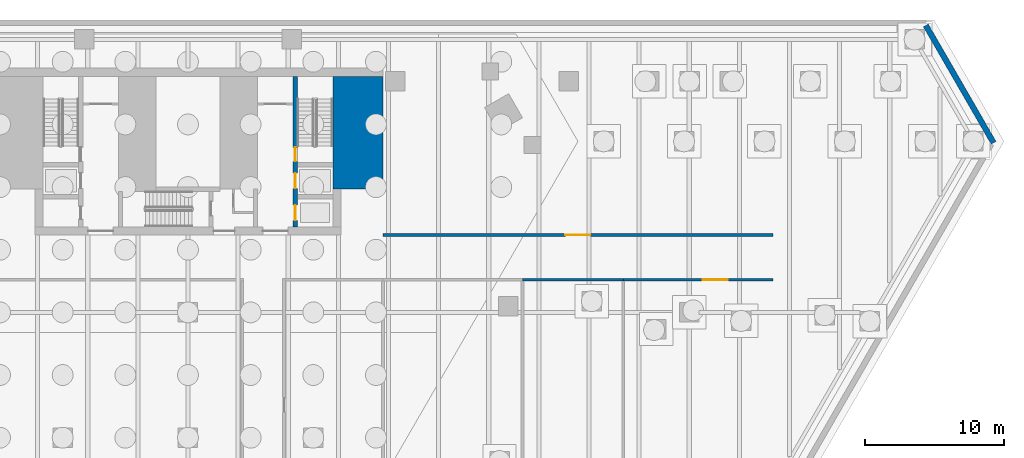
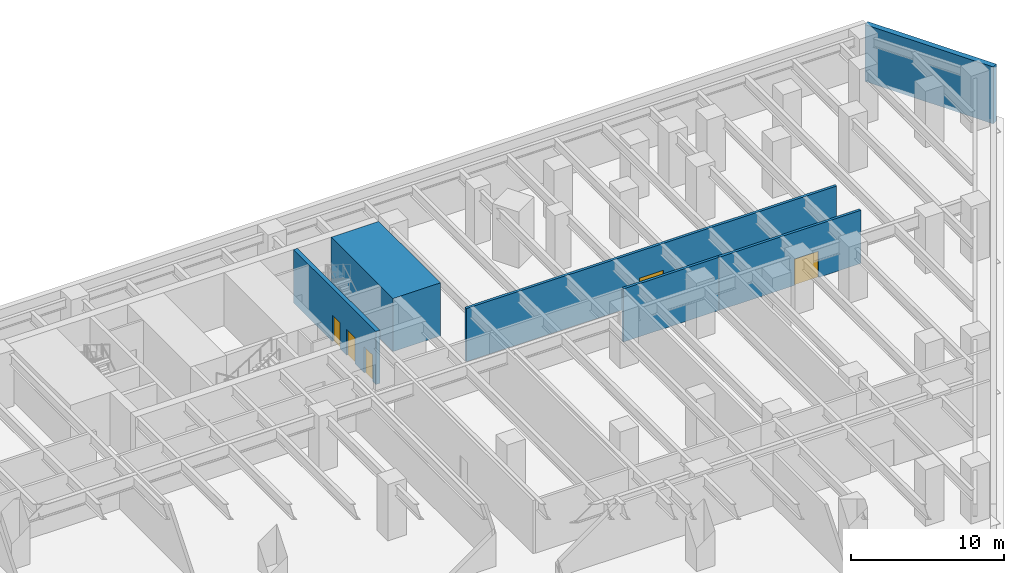
# One storey, part 14 of 18: 6 walls, 5 doors, 5 openings.
"""IFC4 building model written with IfcOpenShell, lengths in metres."""

from ifc_helpers import new_model, si_unit, direction, frame, frame_2d, origin, place, context, subcontext, project, spatial, rectangle, extrude, material, layer, layer_set, type_object, element, fill, save


model = new_model("IFC4")

# Units and contexts
model_context = context("Model", 3, precision=1e-05, world=origin(), true_north=direction((0.0, 1.0)))
body_context = subcontext(model_context, "Body", "Model", "MODEL_VIEW")
ifc_project = project(units=[si_unit("LENGTHUNIT", "METRE"), si_unit("AREAUNIT", "SQUARE_METRE"), si_unit("VOLUMEUNIT", "CUBIC_METRE"), si_unit("PLANEANGLEUNIT", "RADIAN"), si_unit("MASSUNIT", "GRAM", prefix="KILO")], contexts=[model_context])

# Site, building, storey
site_placement = place(None, origin())
site = spatial("IfcSite", under=ifc_project, at=site_placement, CompositionType="ELEMENT")
building_placement = place(site_placement, origin())
building = spatial("IfcBuilding", under=site, at=building_placement, Name="Aloe Facet Convention Tower", CompositionType="ELEMENT")
storey_placement = place(building_placement, frame((0.0, 0.0, -9.0)))
storey = spatial("IfcBuildingStorey", under=building, at=storey_placement, Name="B2", CompositionType="ELEMENT", Elevation=-9.0)

# Wall, openings, doors
ifc_material_1 = material(Name="Concrete C80/95", Category="concrete")
ifc_layer_1 = layer(ifc_material_1, 0.300048828125)
ifc_layer_set_1 = layer_set([ifc_layer_1], Name="CR-W-RC300-C8095")
wall_type_1 = type_object("IfcWallType", Name="CR-W-RC300-C8095", PredefinedType="SOLIDWALL", material=ifc_layer_set_1)
wall_1_placement = place(storey_placement, frame((87.699951171875, 133.949951171875, 0.0), z_axis=(0.0, 0.0, 1.0), x_axis=(0.0, -1.0, 0.0)))
wall_1 = element("IfcWall", 1, at=wall_1_placement, inside=storey, type_object=wall_type_1, Name="Core wall B2-018", PredefinedType="SOLIDWALL", context=body_context, shape_type="SweptSolid", body=[
    extrude(rectangle(XDim=10.800048828125, YDim=0.300048828125, at=frame_2d((5.39990234375, 0.0))), origin(), (0.0, 0.0, 1.0), 4.25),
])
opening_1_placement = place(wall_1_placement, frame((6.949951171875, 0.0, 0.0)))
opening_1 = element("IfcOpeningElement", 2, at=opening_1_placement, cuts=wall_1, Name="Opening LD-FF2-B2", PredefinedType="OPENING", context=body_context, shape_type="SweptSolid", body=[
    extrude(rectangle(XDim=1.10009765625, YDim=2.10009765625, at=frame_2d((0.550048828125, 1.050048828125))), frame((0.0, 0.16015625, 0.0), z_axis=(0.0, -1.0, 0.0), x_axis=(1.0, 0.0, 0.0)), (0.0, 0.0, 1.0), 0.320068359375),
])
opening_2_placement = place(wall_1_placement, frame((5.10009765625, 0.0, 0.0)))
opening_2 = element("IfcOpeningElement", 3, at=opening_2_placement, cuts=wall_1, Name="Opening B2-CD11", PredefinedType="OPENING", context=body_context, shape_type="SweptSolid", body=[
    extrude(rectangle(XDim=1.0, YDim=2.10009765625, at=frame_2d((0.5, 1.050048828125))), frame((0.0, 0.16015625, 0.0), z_axis=(0.0, -1.0, 0.0), x_axis=(1.0, 0.0, 0.0)), (0.0, 0.0, 1.0), 0.320068359375),
])
opening_3_placement = place(wall_1_placement, frame((9.25, 0.0, 0.0)))
opening_3 = element("IfcOpeningElement", 4, at=opening_3_placement, cuts=wall_1, Name="Opening LD-SV1-B2", PredefinedType="OPENING", context=body_context, shape_type="SweptSolid", body=[
    extrude(rectangle(XDim=1.10009765625, YDim=2.10009765625, at=frame_2d((0.550048828125, 1.050048828125))), frame((0.0, 0.16015625, 0.0), z_axis=(0.0, -1.0, 0.0), x_axis=(1.0, 0.0, 0.0)), (0.0, 0.0, 1.0), 0.320068359375),
])
ifc_material_2 = material(Name="Steel fire-resisting door set FD120", Category="steel")
door_type_1 = type_object("IfcDoorType", Name="CR-D-STAIR-1000-FD120-SLEFT", OperationType="SINGLE_SWING_LEFT", PredefinedType="DOOR", material=ifc_material_2)
door_1_placement = place(opening_2_placement, origin())
door_1 = element("IfcDoor", 5, at=door_1_placement, inside=storey, type_object=door_type_1, Name="Core door B2-CD11", OperationType="SINGLE_SWING_LEFT", OverallHeight=2.10009765625, OverallWidth=1.0, PredefinedType="DOOR", context=body_context, shape_type="SweptSolid", body=[
    extrude(rectangle(XDim=1.0, YDim=2.10009765625, at=frame_2d((0.5, 1.050048828125))), frame((0.0, 0.02490234375, 0.0), z_axis=(0.0, -1.0, 0.0), x_axis=(1.0, 0.0, 0.0)), (0.0, 0.0, 1.0), 0.050048828125),
])
fill(opening_2, door_1)
ifc_material_3 = material(Name="Stainless steel sliding landing door", Category="steel")
door_type_2 = type_object("IfcDoorType", Name="CR-LD-1100-FD120-_LEFT", OperationType="SLIDING_TO_LEFT", PredefinedType="DOOR", material=ifc_material_3)
door_2_placement = place(opening_1_placement, origin())
door_2 = element("IfcDoor", 6, at=door_2_placement, inside=storey, type_object=door_type_2, Name="Landing door FF2 B2", OperationType="SLIDING_TO_LEFT", OverallHeight=2.10009765625, OverallWidth=1.10009765625, PredefinedType="DOOR", context=body_context, shape_type="SweptSolid", body=[
    extrude(rectangle(XDim=1.10009765625, YDim=2.10009765625, at=frame_2d((0.550048828125, 1.050048828125))), frame((0.0, 0.02490234375, 0.0), z_axis=(0.0, -1.0, 0.0), x_axis=(1.0, 0.0, 0.0)), (0.0, 0.0, 1.0), 0.050048828125),
])
fill(opening_1, door_2)
door_3_placement = place(opening_3_placement, origin())
door_3 = element("IfcDoor", 7, at=door_3_placement, inside=storey, type_object=door_type_2, Name="Landing door SV1 B2", OperationType="SLIDING_TO_LEFT", OverallHeight=2.10009765625, OverallWidth=1.10009765625, PredefinedType="DOOR", context=body_context, shape_type="SweptSolid", body=[
    extrude(rectangle(XDim=1.10009765625, YDim=2.10009765625, at=frame_2d((0.550048828125, 1.050048828125))), frame((0.0, 0.02490234375, 0.0), z_axis=(0.0, -1.0, 0.0), x_axis=(1.0, 0.0, 0.0)), (0.0, 0.0, 1.0), 0.050048828125),
])
fill(opening_3, door_3)

# Walls
ifc_material_4 = material(Name="Concrete C80/95", Category="concrete")
ifc_layer_2 = layer(ifc_material_4, 3.60009765625)
ifc_layer_set_2 = layer_set([ifc_layer_2], Name="CR-W-RC3600-C8095")
wall_type_2 = type_object("IfcWallType", Name="CR-W-RC3600-C8095", PredefinedType="SOLIDWALL", material=ifc_layer_set_2)
wall_2_placement = place(storey_placement, frame((92.199951171875, 133.949951171875, 0.0), z_axis=(0.0, 0.0, 1.0), x_axis=(0.0, -1.0, 0.0)))
element("IfcWall", 8, at=wall_2_placement, inside=storey, type_object=wall_type_2, Name="Core wall B2-021", PredefinedType="SOLIDWALL", context=body_context, shape_type="SweptSolid", body=[
    extrude(rectangle(XDim=8.099853515625, YDim=3.60009765625, at=frame_2d((4.0498046875, 0.0))), origin(), (0.0, 0.0, 1.0), 4.25),
])
ifc_material_5 = material(Name="Masonry blockwork wall, plastered", Category="masonry")
ifc_layer_3 = layer(ifc_material_5, 0.199951171875)
ifc_layer_set_3 = layer_set([ifc_layer_3], Name="IN-POD-W-PLANT")
wall_type_3 = type_object("IfcWallType", Name="IN-POD-W-PLANT", PredefinedType="PARTITIONING", material=ifc_layer_set_3)
wall_3_placement = place(storey_placement, frame((104.033203125, 119.35009765625, 0.0), z_axis=(0.0, 0.0, 1.0), x_axis=(1.0, 0.0, 0.0)))
element("IfcWall", 9, at=wall_3_placement, inside=storey, type_object=wall_type_3, Name="Partition B2-W054", PredefinedType="PARTITIONING", context=body_context, shape_type="SweptSolid", body=[
    extrude(rectangle(XDim=7.2333984375, YDim=0.199951171875, at=frame_2d((3.61669921875, 0.0))), origin(), (0.0, 0.0, 1.0), 4.25),
])

# Wall, opening, door
wall_4_placement = place(storey_placement, frame((111.2666015625, 119.35009765625, 0.0), z_axis=(0.0, 0.0, 1.0), x_axis=(1.0, 0.0, 0.0)))
wall_4 = element("IfcWall", 10, at=wall_4_placement, inside=storey, type_object=wall_type_3, Name="Partition B2-W055", PredefinedType="PARTITIONING", context=body_context, shape_type="SweptSolid", body=[
    extrude(rectangle(XDim=10.7333984375, YDim=0.199951171875, at=frame_2d((5.36669921875, 0.0))), origin(), (0.0, 0.0, 1.0), 4.25),
])
opening_4_placement = place(wall_4_placement, frame((5.716552734375, 0.0, 0.0)))
opening_4 = element("IfcOpeningElement", 11, at=opening_4_placement, cuts=wall_4, Name="Opening B2-010", PredefinedType="OPENING", context=body_context, shape_type="SweptSolid", body=[
    extrude(rectangle(XDim=1.800048828125, YDim=2.10009765625, at=frame_2d((0.89990234375, 1.050048828125))), frame((0.0, 0.10986328125, 0.0), z_axis=(0.0, -1.0, 0.0), x_axis=(1.0, 0.0, 0.0)), (0.0, 0.0, 1.0), 0.219970703125),
])
ifc_material_6 = material(Name="Steel flush door pair, galvanised", Category="steel")
door_type_3 = type_object("IfcDoorType", Name="IN-POD-D-PLANTPAIR", OperationType="DOUBLE_DOOR_SINGLE_SWING", PredefinedType="DOOR", material=ifc_material_6)
door_4_placement = place(opening_4_placement, origin())
door_4 = element("IfcDoor", 12, at=door_4_placement, inside=storey, type_object=door_type_3, Name="Door B2-010", OperationType="SINGLE_SWING_LEFT", OverallHeight=2.10009765625, OverallWidth=1.800048828125, PredefinedType="DOOR", context=body_context, shape_type="SweptSolid", body=[
    extrude(rectangle(XDim=1.800048828125, YDim=2.10009765625, at=frame_2d((0.89990234375, 1.050048828125))), frame((0.0, 0.02490234375, 0.0), z_axis=(0.0, -1.0, 0.0), x_axis=(1.0, 0.0, 0.0)), (0.0, 0.0, 1.0), 0.050048828125),
])
fill(opening_4, door_4)

wall_5_placement = place(storey_placement, frame((94.0, 122.550048828125, 0.0), z_axis=(0.0, 0.0, 1.0), x_axis=(1.0, 0.0, 0.0)))
wall_5 = element("IfcWall", 13, at=wall_5_placement, inside=storey, type_object=wall_type_3, Name="Partition B2-W057", PredefinedType="PARTITIONING", context=body_context, shape_type="SweptSolid", body=[
    extrude(rectangle(XDim=28.0, YDim=0.199951171875, at=frame_2d((14.0, 0.0))), origin(), (0.0, 0.0, 1.0), 4.25),
])
opening_5_placement = place(wall_5_placement, frame((13.10009765625, 0.0, 0.0)))
opening_5 = element("IfcOpeningElement", 14, at=opening_5_placement, cuts=wall_5, Name="Opening B2-002", PredefinedType="OPENING", context=body_context, shape_type="SweptSolid", body=[
    extrude(rectangle(XDim=1.800048828125, YDim=2.10009765625, at=frame_2d((0.89990234375, 1.050048828125))), frame((0.0, 0.10986328125, 0.0), z_axis=(0.0, -1.0, 0.0), x_axis=(1.0, 0.0, 0.0)), (0.0, 0.0, 1.0), 0.219970703125),
])
door_5_placement = place(opening_5_placement, origin())
door_5 = element("IfcDoor", 15, at=door_5_placement, inside=storey, type_object=door_type_3, Name="Door B2-002", OperationType="SINGLE_SWING_LEFT", OverallHeight=2.10009765625, OverallWidth=1.800048828125, PredefinedType="DOOR", context=body_context, shape_type="SweptSolid", body=[
    extrude(rectangle(XDim=1.800048828125, YDim=2.10009765625, at=frame_2d((0.89990234375, 1.050048828125))), frame((0.0, 0.02490234375, 0.0), z_axis=(0.0, -1.0, 0.0), x_axis=(1.0, 0.0, 0.0)), (0.0, 0.0, 1.0), 0.050048828125),
])
fill(opening_5, door_5)

# Wall
ifc_material_7 = material(Name="Concrete C40/50", Category="concrete")
ifc_layer_4 = layer(ifc_material_7, 0.39990234375)
ifc_layer_set_4 = layer_set([ifc_layer_4], Name="SF-RW-400")
wall_type_4 = type_object("IfcWallType", Name="SF-RW-400", PredefinedType="SOLIDWALL", material=ifc_layer_set_4)
wall_6_placement = place(storey_placement, frame((132.99658203125, 137.60498046875, -0.300048828125), z_axis=(0.0, 0.0, 1.0), x_axis=(0.500000649954, -0.866025028533, 0.0)))
element("IfcWall", 16, at=wall_6_placement, inside=storey, type_object=wall_type_4, Name="RETAINING WALL B2-06", PredefinedType="SOLIDWALL", context=body_context, shape_type="SweptSolid", body=[
    extrude(rectangle(XDim=9.7236328125, YDim=0.39990234375, at=frame_2d((4.86181640625, 0.0))), origin(), (0.0, 0.0, 1.0), 4.550048828125),
])

save(model, "model.ifc")
